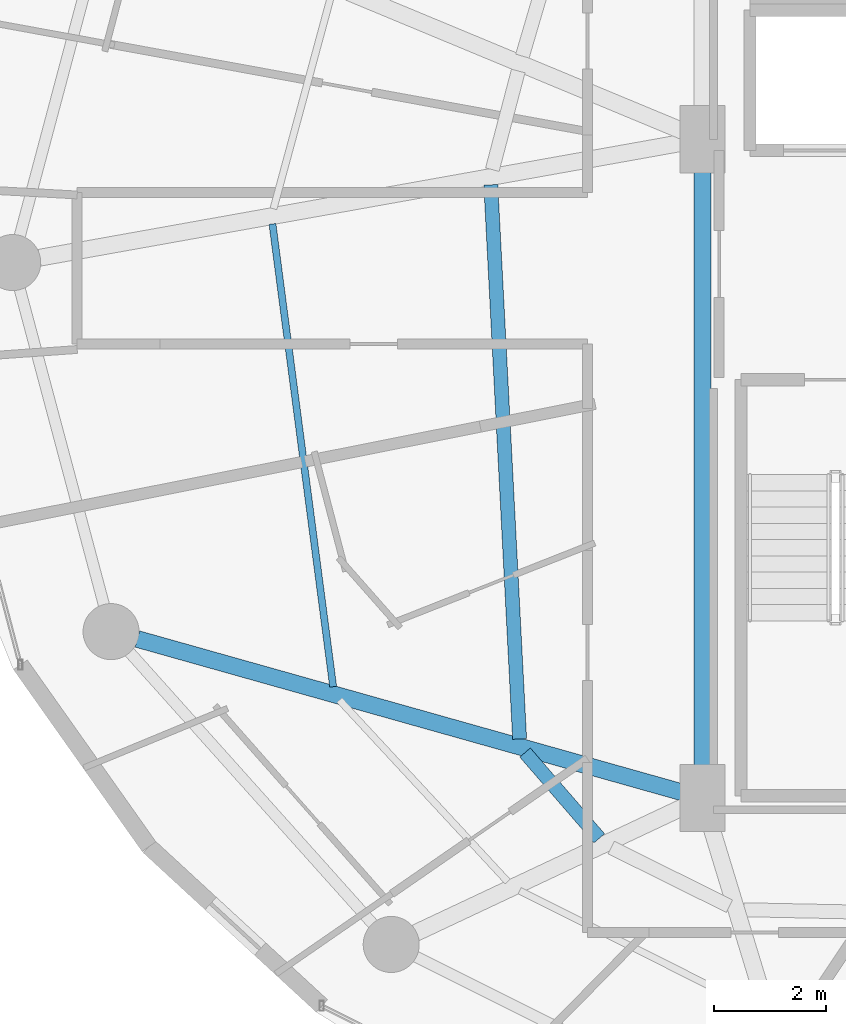
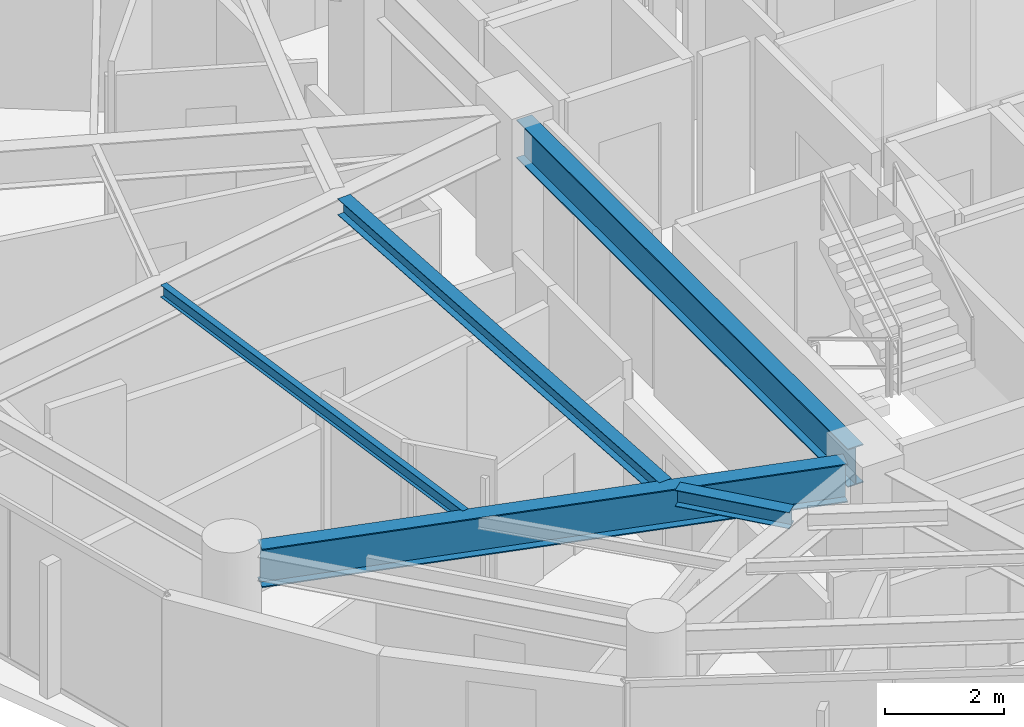
# One storey, part 4 of 30: 5 beams.
"""IFC4 building model written with IfcOpenShell, lengths in metres."""

from ifc_helpers import new_model, si_unit, direction, frame, origin, origin_2d, place, context, subcontext, project, spatial, i_section, extrude, material, material_profile, profile_set, type_object, element, save


model = new_model("IFC4")

# Units and contexts
model_context = context("Model", 3, precision=1e-05, world=origin(), true_north=direction((0.0, 1.0)))
body_context = subcontext(model_context, "Body", "Model", "MODEL_VIEW")
ifc_project = project(units=[si_unit("LENGTHUNIT", "METRE"), si_unit("AREAUNIT", "SQUARE_METRE"), si_unit("VOLUMEUNIT", "CUBIC_METRE"), si_unit("PLANEANGLEUNIT", "RADIAN"), si_unit("MASSUNIT", "GRAM", prefix="KILO")], contexts=[model_context])

# Site, building, storey
site_placement = place(None, origin())
site = spatial("IfcSite", under=ifc_project, at=site_placement, CompositionType="ELEMENT")
building_placement = place(site_placement, origin())
building = spatial("IfcBuilding", under=site, at=building_placement, Name="Vorneva Point Tower", CompositionType="ELEMENT")
storey_placement = place(building_placement, frame((0.0, 0.0, 157.10009765625)))
storey = spatial("IfcBuildingStorey", under=building, at=storey_placement, Name="L42", CompositionType="ELEMENT", Elevation=157.10009765625)

# Beams
ifc_material = material(Name="Steel S355", Category="steel")
ifc_material_profile_1 = material_profile(ifc_material, i_section(OverallWidth=0.300048828125, OverallDepth=0.7880859375, WebThickness=0.014404296875, FlangeThickness=0.02197265625, at=origin_2d()), Name="80Sh1")
ifc_profile_set_1 = profile_set([ifc_material_profile_1], Name="Steel S355")
beam_type_1 = type_object("IfcBeamType", Name="BM-GRD-80Sh1", PredefinedType="USERDEFINED", material=ifc_profile_set_1)
beam_1_placement = place(storey_placement, frame((17.17431640625, 19.28564453125, 2.845947265625), z_axis=(0.96260085362, -0.270923599213, 0.0), x_axis=(0.270923599213, 0.96260085362, 0.0)))
element("IfcBeam", 1, at=beam_1_placement, inside=storey, type_object=beam_type_1, Name="L42 Radial Primary Girder 10", ObjectType="GIRDER", PredefinedType="USERDEFINED", context=body_context, shape_type="SweptSolid", body=[
    extrude(i_section(OverallWidth=0.300048828125, OverallDepth=0.7880859375, WebThickness=0.014404296875, FlangeThickness=0.02197265625, at=origin_2d()), origin(), (0.0, 0.0, 1.0), 10.126953125),
])
beam_2_placement = place(storey_placement, frame((27.25, 16.77001953125, 2.845947265625), z_axis=(0.0, 1.0, 0.0), x_axis=(-1.0, 0.0, 0.0)))
element("IfcBeam", 2, at=beam_2_placement, inside=storey, type_object=beam_type_1, Name="L42 Core Tie Girder CT1", ObjectType="GIRDER", PredefinedType="USERDEFINED", context=body_context, shape_type="SweptSolid", body=[
    extrude(i_section(OverallWidth=0.300048828125, OverallDepth=0.7880859375, WebThickness=0.014404296875, FlangeThickness=0.02197265625, at=origin_2d()), origin(), (0.0, 0.0, 1.0), 11.10986328125),
])
ifc_material_profile_2 = material_profile(ifc_material, i_section(OverallWidth=0.1240234375, OverallDepth=0.248046875, WebThickness=0.0048828125, FlangeThickness=0.008056640625, at=origin_2d()), Name="25B1")
ifc_profile_set_2 = profile_set([ifc_material_profile_2], Name="Steel S355")
beam_type_2 = type_object("IfcBeamType", Name="BM-JST-25B1", PredefinedType="JOIST", material=ifc_profile_set_2)
beam_3_placement = place(storey_placement, frame((19.5830078125, 26.688720703125, 3.115966796875), z_axis=(0.130067594858, -0.991505128967, 0.0), x_axis=(0.991505128967, 0.130067594858, 0.0)))
element("IfcBeam", 3, at=beam_3_placement, inside=storey, type_object=beam_type_2, Name="L42 Secondary Floor Beam 1.09", PredefinedType="JOIST", context=body_context, shape_type="SweptSolid", body=[
    extrude(i_section(OverallWidth=0.1240234375, OverallDepth=0.248046875, WebThickness=0.0048828125, FlangeThickness=0.008056640625, at=origin_2d()), origin(), (0.0, 0.0, 1.0), 8.32470703125),
])
ifc_material_profile_3 = material_profile(ifc_material, i_section(OverallWidth=0.2490234375, OverallDepth=0.333984375, WebThickness=0.008056640625, FlangeThickness=0.010986328125, at=origin_2d()), Name="35Sh1")
ifc_profile_set_3 = profile_set([ifc_material_profile_3], Name="Steel S355")
beam_type_3 = type_object("IfcBeamType", Name="BM-SEC-35Sh1", PredefinedType="BEAM", material=ifc_profile_set_3)
beam_4_placement = place(storey_placement, frame((23.47705078125, 27.385986328125, 3.072998046875), z_axis=(0.051929543019, -0.998650751045, 0.0), x_axis=(0.998650751045, 0.051929543019, 0.0)))
element("IfcBeam", 4, at=beam_4_placement, inside=storey, type_object=beam_type_3, Name="L42 Secondary Floor Beam 2.09", PredefinedType="BEAM", context=body_context, shape_type="SweptSolid", body=[
    extrude(i_section(OverallWidth=0.2490234375, OverallDepth=0.333984375, WebThickness=0.008056640625, FlangeThickness=0.010986328125, at=origin_2d()), origin(), (0.0, 0.0, 1.0), 9.896484375),
])
beam_5_placement = place(storey_placement, frame((24.08837890625, 17.2607421875, 3.072998046875), z_axis=(0.654521417916, -0.756043460053, 0.0), x_axis=(0.756043460053, 0.654521417916, 0.0)))
element("IfcBeam", 5, at=beam_5_placement, inside=storey, type_object=beam_type_3, Name="L42 Secondary Floor Beam 2.10", PredefinedType="BEAM", context=body_context, shape_type="SweptSolid", body=[
    extrude(i_section(OverallWidth=0.2490234375, OverallDepth=0.333984375, WebThickness=0.008056640625, FlangeThickness=0.010986328125, at=origin_2d()), origin(), (0.0, 0.0, 1.0), 2.0224609375),
])

save(model, "model.ifc")
